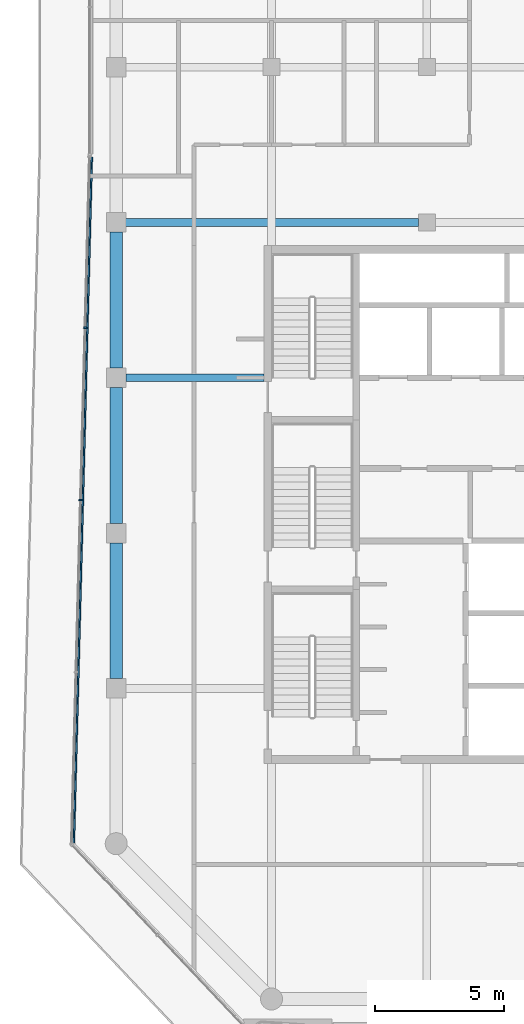
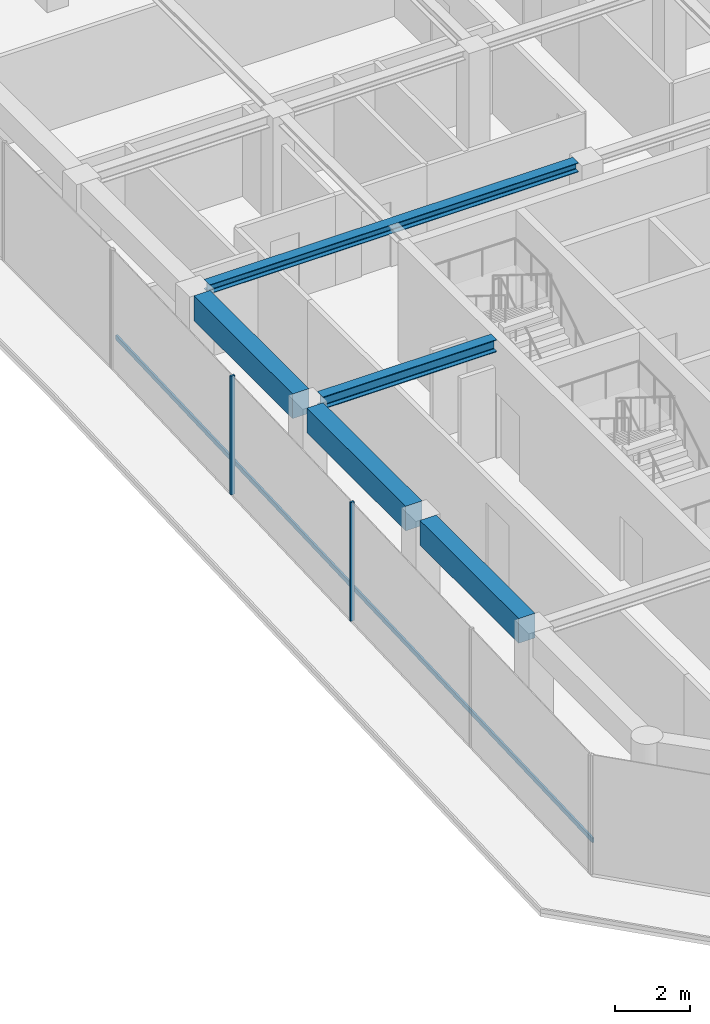
# One storey, part 4 of 18: 5 beams, 3 members, 1 element without a shape of its own.
"""IFC4 building model written with IfcOpenShell, lengths in metres."""

from ifc_helpers import new_model, si_unit, direction, frame, origin, origin_2d, place, context, subcontext, project, spatial, rectangle, i_section, extrude, material, layer, layer_set, material_profile, profile_set, type_object, element, aggregate, save


model = new_model("IFC4")

# Units and contexts
model_context = context("Model", 3, precision=1e-05, world=origin(), true_north=direction((0.0, 1.0)))
body_context = subcontext(model_context, "Body", "Model", "MODEL_VIEW")
ifc_project = project(units=[si_unit("LENGTHUNIT", "METRE"), si_unit("AREAUNIT", "SQUARE_METRE"), si_unit("VOLUMEUNIT", "CUBIC_METRE"), si_unit("PLANEANGLEUNIT", "RADIAN"), si_unit("MASSUNIT", "GRAM", prefix="KILO")], contexts=[model_context])

# Site, building, storey
site_placement = place(None, origin())
site = spatial("IfcSite", under=ifc_project, at=site_placement, CompositionType="ELEMENT")
building_placement = place(site_placement, origin())
building = spatial("IfcBuilding", under=site, at=building_placement, Name="Welwitschia Terrace Campus", CompositionType="ELEMENT")
storey_placement = place(building_placement, frame((0.0, 0.0, 281.0)))
storey = spatial("IfcBuildingStorey", under=building, at=storey_placement, Name="L62", CompositionType="ELEMENT", Elevation=281.0)

# Beam
ifc_material_1 = material(Name="Steel S355", Category="steel")
ifc_material_profile_1 = material_profile(ifc_material_1, i_section(OverallWidth=0.300048828125, OverallDepth=0.300048828125, WebThickness=0.010986328125, FlangeThickness=0.01904296875, FilletRadius=0.027099609375, at=origin_2d()))
ifc_profile_set_1 = profile_set([ifc_material_profile_1], Name="Steel S355")
beam_type_1 = type_object("IfcBeamType", Name="Interior girder HE 300 B", PredefinedType="BEAM", material=ifc_profile_set_1)
beam_1_placement = place(storey_placement, frame((0.365478515625, 26.0, 3.699951171875), z_axis=(1.0, 0.0, 0.0), x_axis=(0.0, 1.0, 0.0)))
element("IfcBeam", 1, at=beam_1_placement, inside=storey, type_object=beam_type_1, Name="Girder GB6", PredefinedType="BEAM", context=body_context, shape_type="SweptSolid", body=[
    extrude(i_section(OverallWidth=0.300048828125, OverallDepth=0.300048828125, WebThickness=0.010986328125, FlangeThickness=0.01904296875, FilletRadius=0.027099609375, at=origin_2d()), origin(), (0.0, 0.0, 1.0), 11.30908203125),
])

# Curtain wall, members
ifc_material_2 = material(Name="Bronze anodised aluminium", Category="aluminium")
ifc_layer = layer(ifc_material_2, 0.1201171875)
ifc_layer_set = layer_set([ifc_layer], Name="Bronze anodised aluminium")
curtain_wall_type = type_object("IfcCurtainWallType", Name="Curtain wall CW2 tower 6000", PredefinedType="NOTDEFINED", material=ifc_layer_set)
curtain_wall_placement = place(storey_placement, origin())
curtain_wall = element("IfcCurtainWall", 2, at=curtain_wall_placement, inside=storey, type_object=curtain_wall_type, Name="CW L62.1.0", PredefinedType="NOTDEFINED")
ifc_material_3 = material(Name="Bronze anodised aluminium", Category="aluminium")
ifc_material_profile_2 = material_profile(ifc_material_3, rectangle(XDim=0.1201171875, YDim=0.06005859375, at=origin_2d()))
ifc_profile_set_2 = profile_set([ifc_material_profile_2], Name="Bronze anodised aluminium")
member_type_1 = type_object("IfcMemberType", Name="Mullion 60x120", PredefinedType="MULLION", material=ifc_profile_set_2)
member_1_placement = place(storey_placement, frame((-1.2041015625, 21.93212890625, 0.0), z_axis=(0.0, 0.0, 1.0), x_axis=(0.999657324976, -0.026176948308, 0.0)))
member_1 = element("IfcMember", 3, at=member_1_placement, type_object=member_type_1, Name="Mullion L62.1.0.1", PredefinedType="MULLION", context=body_context, shape_type="SweptSolid", body=[
    extrude(rectangle(XDim=0.1201171875, YDim=0.06005859375, at=origin_2d()), origin(), (0.0, 0.0, 1.0), 3.85009765625),
])
member_2_placement = place(storey_placement, frame((-1.37841796875, 15.27978515625, 0.0), z_axis=(0.0, 0.0, 1.0), x_axis=(0.999657324976, -0.026176948308, 0.0)))
member_2 = element("IfcMember", 4, at=member_2_placement, type_object=member_type_1, Name="Mullion L62.1.0.2", PredefinedType="MULLION", context=body_context, shape_type="SweptSolid", body=[
    extrude(rectangle(XDim=0.1201171875, YDim=0.06005859375, at=origin_2d()), origin(), (0.0, 0.0, 1.0), 3.85009765625),
])

# Beams
ifc_material_4 = material(Name="Steel S355", Category="steel")
ifc_material_profile_3 = material_profile(ifc_material_4, i_section(OverallWidth=0.300048828125, OverallDepth=0.39990234375, WebThickness=0.013427734375, FlangeThickness=0.02392578125, FilletRadius=0.027099609375, at=origin_2d()))
ifc_profile_set_3 = profile_set([ifc_material_profile_3], Name="Steel S355")
beam_type_2 = type_object("IfcBeamType", Name="Primary beam HE 400 B", PredefinedType="BEAM", material=ifc_profile_set_3)
beam_2_placement = place(storey_placement, frame((0.37548828125, 20.0, 3.64990234375), z_axis=(1.0, 0.0, 0.0), x_axis=(0.0, 1.0, 0.0)))
element("IfcBeam", 5, at=beam_2_placement, inside=storey, type_object=beam_type_2, Name="Primary beam PB6", PredefinedType="BEAM", context=body_context, shape_type="SweptSolid", body=[
    extrude(i_section(OverallWidth=0.300048828125, OverallDepth=0.39990234375, WebThickness=0.013427734375, FlangeThickness=0.02392578125, FilletRadius=0.027099609375, at=origin_2d()), origin(), (0.0, 0.0, 1.0), 5.324462890625),
])
ifc_material_5 = material(Name="Concrete C50/60", Category="concrete")
ifc_material_profile_4 = material_profile(ifc_material_5, rectangle(XDim=0.5, YDim=0.800048828125, at=origin_2d()))
ifc_profile_set_4 = profile_set([ifc_material_profile_4], Name="Concrete C50/60")
beam_type_3 = type_object("IfcBeamType", Name="Ring spandrel 500x800", PredefinedType="SPANDREL", material=ifc_profile_set_4)
for number, where, z_axis, x_axis, name in (
    (6, (0.0, 25.62451171875, 3.449951171875), (0.0, -1.0, 0.0), (1.0, 0.0, 0.0), "Spandrel SP4"),
    (7, (0.0, 19.62451171875, 3.449951171875), (0.0, -1.0, 0.0), (1.0, 0.0, 0.0), "Spandrel SP4"),
    (8, (0.0, 13.62451171875, 3.449951171875), (0.0, -1.0, 0.0), (1.0, 0.0, 0.0), "Spandrel SP4"),
):
    element("IfcBeam", number, at=place(storey_placement, frame(where, z_axis=z_axis, x_axis=x_axis)), inside=storey, type_object=beam_type_3, Name=name, PredefinedType="SPANDREL", context=body_context, shape_type="SweptSolid", body=[
        extrude(rectangle(XDim=0.5, YDim=0.800048828125, at=origin_2d()), origin(), (0.0, 0.0, 1.0), 5.2490234375),
    ])

# Member
ifc_material_6 = material(Name="Bronze anodised aluminium", Category="aluminium")
ifc_material_profile_5 = material_profile(ifc_material_6, rectangle(XDim=0.06005859375, YDim=0.14990234375, at=origin_2d()))
ifc_profile_set_5 = profile_set([ifc_material_profile_5], Name="Bronze anodised aluminium")
member_type_2 = type_object("IfcMemberType", Name="Transom 60x150", PredefinedType="USERDEFINED", material=ifc_profile_set_5)
member_3_placement = place(storey_placement, frame((-0.941650390625, 28.522216796875, 1.0), z_axis=(-0.02617536017, -0.999657366561, 0.0), x_axis=(0.999657366561, -0.02617536017, 0.0)))
member_3 = element("IfcMember", 9, at=member_3_placement, type_object=member_type_2, Name="Transom L62.1.0", ObjectType="TRANSOM", PredefinedType="USERDEFINED", context=body_context, shape_type="SweptSolid", body=[
    extrude(rectangle(XDim=0.06005859375, YDim=0.14990234375, at=origin_2d()), origin(), (0.0, 0.0, 1.0), 26.498291015625),
])

aggregate(curtain_wall, [member_1, member_2, member_3])

save(model, "model.ifc")
